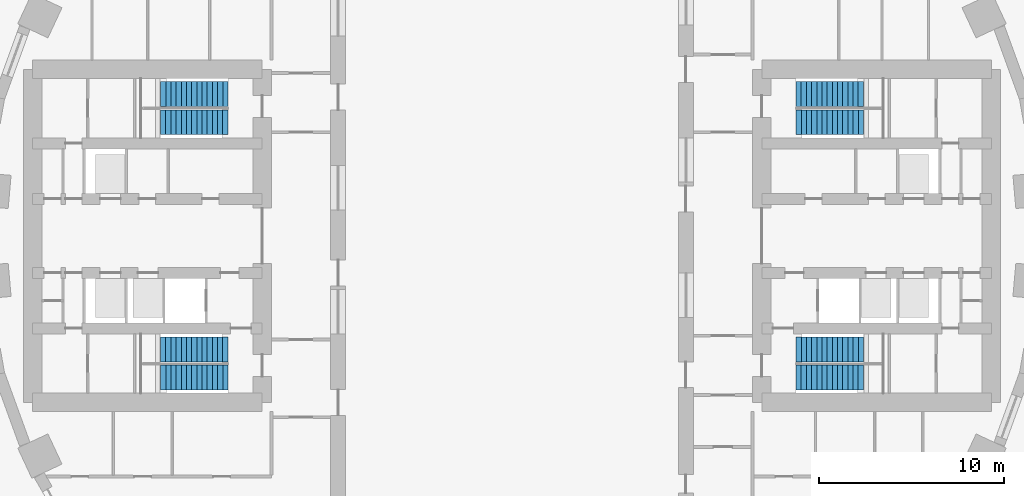
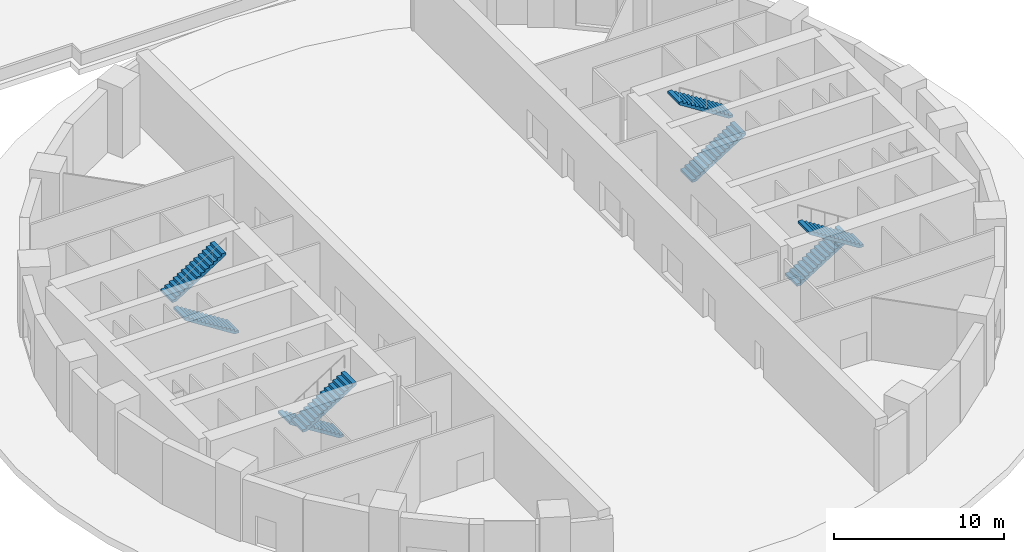
# One storey, part 8 of 10: 8 stair flights, 4 elements without a shape of their own.
"""IFC4 building model written with IfcOpenShell, lengths in metres."""

from ifc_helpers import new_model, si_unit, direction, frame, origin, place, context, subcontext, project, spatial, polyline, outline, extrude, material, type_object, element, aggregate, save


model = new_model("IFC4")

# Units and contexts
model_context = context("Model", 3, precision=1e-05, world=origin(), true_north=direction((0.0, 1.0)))
body_context = subcontext(model_context, "Body", "Model", "MODEL_VIEW")
ifc_project = project(units=[si_unit("LENGTHUNIT", "METRE"), si_unit("AREAUNIT", "SQUARE_METRE"), si_unit("VOLUMEUNIT", "CUBIC_METRE"), si_unit("PLANEANGLEUNIT", "RADIAN"), si_unit("MASSUNIT", "GRAM", prefix="KILO")], contexts=[model_context])

# Site, building, storey
site_placement = place(None, origin())
site = spatial("IfcSite", under=ifc_project, at=site_placement, CompositionType="ELEMENT")
building_placement = place(site_placement, origin())
building = spatial("IfcBuilding", under=site, at=building_placement, Name="Saqina Gate Tower", CompositionType="ELEMENT")
storey_placement = place(building_placement, origin())
storey = spatial("IfcBuildingStorey", under=building, at=storey_placement, Name="L00", CompositionType="ELEMENT", Elevation=0.0)

# Stair, stair flights
ifc_material_1 = material(Name="Concrete C40/50", Category="concrete")
stair_type = type_object("IfcStairType", Name="EXIT STAIR", PredefinedType="HALF_TURN_STAIR", material=ifc_material_1)
stair_1_placement = place(storey_placement, origin())
stair_1 = element("IfcStair", 1, at=stair_1_placement, inside=storey, type_object=stair_type, Name="EXIT STAIR 1", PredefinedType="HALF_TURN_STAIR")
ifc_material_2 = material(Name="Concrete C40/50", Category="concrete")
stair_flight_type = type_object("IfcStairFlightType", Name="EXIT STAIR FLIGHT", PredefinedType="STRAIGHT", material=ifc_material_2)
stair_flight_1_placement = place(storey_placement, frame((15.35009765625, 6.1416015625, 0.0), z_axis=(0.0, 0.0, 1.0), x_axis=(1.0, 0.0, 0.0)))
stair_flight_1 = element("IfcStairFlight", 2, at=stair_flight_1_placement, type_object=stair_flight_type, Name="EXIT STAIR 1 FLIGHT 1", NumberOfRisers=14, NumberOfTreads=13, PredefinedType="STRAIGHT", RiserHeight=0.178571429, TreadLength=0.28, context=body_context, shape_type="SweptSolid", body=[
    extrude(outline(polyline([(0.0, 0.0), (0.0, 0.178466796875), (0.280029296875, 0.178466796875), (0.280029296875, 0.357177734375), (0.56005859375, 0.357177734375), (0.56005859375, 0.53564453125), (0.840087890625, 0.53564453125), (0.840087890625, 0.71435546875), (1.1201171875, 0.71435546875), (1.1201171875, 0.892822265625), (1.39990234375, 0.892822265625), (1.39990234375, 1.071533203125), (1.679931640625, 1.071533203125), (1.679931640625, 1.25), (1.9599609375, 1.25), (1.9599609375, 1.428466796875), (2.239990234375, 1.428466796875), (2.239990234375, 1.607177734375), (2.52001953125, 1.607177734375), (2.52001953125, 1.78564453125), (2.800048828125, 1.78564453125), (2.800048828125, 1.96435546875), (3.080078125, 1.96435546875), (3.080078125, 2.142822265625), (3.360107421875, 2.142822265625), (3.360107421875, 2.321533203125), (3.639892578125, 2.321533203125), (3.639892578125, 2.5), (3.639892578125, 2.1435546875), (0.27880859375, 0.0), (0.0, 0.0)])), frame((0.0, 0.675048828125, 0.0), z_axis=(0.0, -1.0, 0.0), x_axis=(1.0, 0.0, 0.0)), (0.0, 0.0, 1.0), 1.35009765625),
])
stair_flight_2_placement = place(storey_placement, frame((18.989990234375, 7.658447265625, 2.5), z_axis=(0.0, 0.0, 1.0), x_axis=(-1.0, 0.0, 0.0)))
stair_flight_2 = element("IfcStairFlight", 3, at=stair_flight_2_placement, type_object=stair_flight_type, Name="EXIT STAIR 1 FLIGHT 2", NumberOfRisers=14, NumberOfTreads=13, PredefinedType="STRAIGHT", RiserHeight=0.178571429, TreadLength=0.28, context=body_context, shape_type="SweptSolid", body=[
    extrude(outline(polyline([(0.0, 0.0), (0.0, 0.178466796875), (0.280029296875, 0.178466796875), (0.280029296875, 0.357177734375), (0.56005859375, 0.357177734375), (0.56005859375, 0.53564453125), (0.840087890625, 0.53564453125), (0.840087890625, 0.71435546875), (1.1201171875, 0.71435546875), (1.1201171875, 0.892822265625), (1.39990234375, 0.892822265625), (1.39990234375, 1.071533203125), (1.679931640625, 1.071533203125), (1.679931640625, 1.25), (1.9599609375, 1.25), (1.9599609375, 1.428466796875), (2.239990234375, 1.428466796875), (2.239990234375, 1.607177734375), (2.52001953125, 1.607177734375), (2.52001953125, 1.78564453125), (2.800048828125, 1.78564453125), (2.800048828125, 1.96435546875), (3.080078125, 1.96435546875), (3.080078125, 2.142822265625), (3.360107421875, 2.142822265625), (3.360107421875, 2.321533203125), (3.639892578125, 2.321533203125), (3.639892578125, 2.5), (3.639892578125, 2.1435546875), (0.27880859375, 0.0), (0.0, 0.0)])), frame((0.0, 0.675048828125, 0.0), z_axis=(0.0, -1.0, 0.0), x_axis=(1.0, 0.0, 0.0)), (0.0, 0.0, 1.0), 1.35009765625),
])
aggregate(stair_1, [stair_flight_1, stair_flight_2])

stair_2_placement = place(storey_placement, origin())
stair_2 = element("IfcStair", 4, at=stair_2_placement, inside=storey, type_object=stair_type, Name="EXIT STAIR 2", PredefinedType="HALF_TURN_STAIR")
stair_flight_3_placement = place(storey_placement, frame((15.35009765625, -6.1416015625, 0.0), z_axis=(0.0, 0.0, 1.0), x_axis=(1.0, 0.0, 0.0)))
stair_flight_3 = element("IfcStairFlight", 5, at=stair_flight_3_placement, type_object=stair_flight_type, Name="EXIT STAIR 2 FLIGHT 1", NumberOfRisers=14, NumberOfTreads=13, PredefinedType="STRAIGHT", RiserHeight=0.178571429, TreadLength=0.28, context=body_context, shape_type="SweptSolid", body=[
    extrude(outline(polyline([(0.0, 0.0), (0.0, 0.178466796875), (0.280029296875, 0.178466796875), (0.280029296875, 0.357177734375), (0.56005859375, 0.357177734375), (0.56005859375, 0.53564453125), (0.840087890625, 0.53564453125), (0.840087890625, 0.71435546875), (1.1201171875, 0.71435546875), (1.1201171875, 0.892822265625), (1.39990234375, 0.892822265625), (1.39990234375, 1.071533203125), (1.679931640625, 1.071533203125), (1.679931640625, 1.25), (1.9599609375, 1.25), (1.9599609375, 1.428466796875), (2.239990234375, 1.428466796875), (2.239990234375, 1.607177734375), (2.52001953125, 1.607177734375), (2.52001953125, 1.78564453125), (2.800048828125, 1.78564453125), (2.800048828125, 1.96435546875), (3.080078125, 1.96435546875), (3.080078125, 2.142822265625), (3.360107421875, 2.142822265625), (3.360107421875, 2.321533203125), (3.639892578125, 2.321533203125), (3.639892578125, 2.5), (3.639892578125, 2.1435546875), (0.27880859375, 0.0), (0.0, 0.0)])), frame((0.0, 0.675048828125, 0.0), z_axis=(0.0, -1.0, 0.0), x_axis=(1.0, 0.0, 0.0)), (0.0, 0.0, 1.0), 1.35009765625),
])
stair_flight_4_placement = place(storey_placement, frame((18.989990234375, -7.658447265625, 2.5), z_axis=(0.0, 0.0, 1.0), x_axis=(-1.0, 0.0, 0.0)))
stair_flight_4 = element("IfcStairFlight", 6, at=stair_flight_4_placement, type_object=stair_flight_type, Name="EXIT STAIR 2 FLIGHT 2", NumberOfRisers=14, NumberOfTreads=13, PredefinedType="STRAIGHT", RiserHeight=0.178571429, TreadLength=0.28, context=body_context, shape_type="SweptSolid", body=[
    extrude(outline(polyline([(0.0, 0.0), (0.0, 0.178466796875), (0.280029296875, 0.178466796875), (0.280029296875, 0.357177734375), (0.56005859375, 0.357177734375), (0.56005859375, 0.53564453125), (0.840087890625, 0.53564453125), (0.840087890625, 0.71435546875), (1.1201171875, 0.71435546875), (1.1201171875, 0.892822265625), (1.39990234375, 0.892822265625), (1.39990234375, 1.071533203125), (1.679931640625, 1.071533203125), (1.679931640625, 1.25), (1.9599609375, 1.25), (1.9599609375, 1.428466796875), (2.239990234375, 1.428466796875), (2.239990234375, 1.607177734375), (2.52001953125, 1.607177734375), (2.52001953125, 1.78564453125), (2.800048828125, 1.78564453125), (2.800048828125, 1.96435546875), (3.080078125, 1.96435546875), (3.080078125, 2.142822265625), (3.360107421875, 2.142822265625), (3.360107421875, 2.321533203125), (3.639892578125, 2.321533203125), (3.639892578125, 2.5), (3.639892578125, 2.1435546875), (0.27880859375, 0.0), (0.0, 0.0)])), frame((0.0, 0.675048828125, 0.0), z_axis=(0.0, -1.0, 0.0), x_axis=(1.0, 0.0, 0.0)), (0.0, 0.0, 1.0), 1.35009765625),
])
aggregate(stair_2, [stair_flight_3, stair_flight_4])

stair_3_placement = place(storey_placement, origin())
stair_3 = element("IfcStair", 7, at=stair_3_placement, inside=storey, type_object=stair_type, Name="EXIT STAIR 3", PredefinedType="HALF_TURN_STAIR")
stair_flight_5_placement = place(storey_placement, frame((-15.35009765625, 6.1416015625, 0.0), z_axis=(0.0, 0.0, 1.0), x_axis=(-1.0, 0.0, 0.0)))
stair_flight_5 = element("IfcStairFlight", 8, at=stair_flight_5_placement, type_object=stair_flight_type, Name="EXIT STAIR 3 FLIGHT 1", NumberOfRisers=14, NumberOfTreads=13, PredefinedType="STRAIGHT", RiserHeight=0.178571429, TreadLength=0.28, context=body_context, shape_type="SweptSolid", body=[
    extrude(outline(polyline([(0.0, 0.0), (0.0, 0.178466796875), (0.280029296875, 0.178466796875), (0.280029296875, 0.357177734375), (0.56005859375, 0.357177734375), (0.56005859375, 0.53564453125), (0.840087890625, 0.53564453125), (0.840087890625, 0.71435546875), (1.1201171875, 0.71435546875), (1.1201171875, 0.892822265625), (1.39990234375, 0.892822265625), (1.39990234375, 1.071533203125), (1.679931640625, 1.071533203125), (1.679931640625, 1.25), (1.9599609375, 1.25), (1.9599609375, 1.428466796875), (2.239990234375, 1.428466796875), (2.239990234375, 1.607177734375), (2.52001953125, 1.607177734375), (2.52001953125, 1.78564453125), (2.800048828125, 1.78564453125), (2.800048828125, 1.96435546875), (3.080078125, 1.96435546875), (3.080078125, 2.142822265625), (3.360107421875, 2.142822265625), (3.360107421875, 2.321533203125), (3.639892578125, 2.321533203125), (3.639892578125, 2.5), (3.639892578125, 2.1435546875), (0.27880859375, 0.0), (0.0, 0.0)])), frame((0.0, 0.675048828125, 0.0), z_axis=(0.0, -1.0, 0.0), x_axis=(1.0, 0.0, 0.0)), (0.0, 0.0, 1.0), 1.35009765625),
])
stair_flight_6_placement = place(storey_placement, frame((-18.989990234375, 7.658447265625, 2.5), z_axis=(0.0, 0.0, 1.0), x_axis=(1.0, 0.0, 0.0)))
stair_flight_6 = element("IfcStairFlight", 9, at=stair_flight_6_placement, type_object=stair_flight_type, Name="EXIT STAIR 3 FLIGHT 2", NumberOfRisers=14, NumberOfTreads=13, PredefinedType="STRAIGHT", RiserHeight=0.178571429, TreadLength=0.28, context=body_context, shape_type="SweptSolid", body=[
    extrude(outline(polyline([(0.0, 0.0), (0.0, 0.178466796875), (0.280029296875, 0.178466796875), (0.280029296875, 0.357177734375), (0.56005859375, 0.357177734375), (0.56005859375, 0.53564453125), (0.840087890625, 0.53564453125), (0.840087890625, 0.71435546875), (1.1201171875, 0.71435546875), (1.1201171875, 0.892822265625), (1.39990234375, 0.892822265625), (1.39990234375, 1.071533203125), (1.679931640625, 1.071533203125), (1.679931640625, 1.25), (1.9599609375, 1.25), (1.9599609375, 1.428466796875), (2.239990234375, 1.428466796875), (2.239990234375, 1.607177734375), (2.52001953125, 1.607177734375), (2.52001953125, 1.78564453125), (2.800048828125, 1.78564453125), (2.800048828125, 1.96435546875), (3.080078125, 1.96435546875), (3.080078125, 2.142822265625), (3.360107421875, 2.142822265625), (3.360107421875, 2.321533203125), (3.639892578125, 2.321533203125), (3.639892578125, 2.5), (3.639892578125, 2.1435546875), (0.27880859375, 0.0), (0.0, 0.0)])), frame((0.0, 0.675048828125, 0.0), z_axis=(0.0, -1.0, 0.0), x_axis=(1.0, 0.0, 0.0)), (0.0, 0.0, 1.0), 1.35009765625),
])
aggregate(stair_3, [stair_flight_5, stair_flight_6])

stair_4_placement = place(storey_placement, origin())
stair_4 = element("IfcStair", 10, at=stair_4_placement, inside=storey, type_object=stair_type, Name="EXIT STAIR 4", PredefinedType="HALF_TURN_STAIR")
stair_flight_7_placement = place(storey_placement, frame((-15.35009765625, -6.1416015625, 0.0), z_axis=(0.0, 0.0, 1.0), x_axis=(-1.0, 0.0, 0.0)))
stair_flight_7 = element("IfcStairFlight", 11, at=stair_flight_7_placement, type_object=stair_flight_type, Name="EXIT STAIR 4 FLIGHT 1", NumberOfRisers=14, NumberOfTreads=13, PredefinedType="STRAIGHT", RiserHeight=0.178571429, TreadLength=0.28, context=body_context, shape_type="SweptSolid", body=[
    extrude(outline(polyline([(0.0, 0.0), (0.0, 0.178466796875), (0.280029296875, 0.178466796875), (0.280029296875, 0.357177734375), (0.56005859375, 0.357177734375), (0.56005859375, 0.53564453125), (0.840087890625, 0.53564453125), (0.840087890625, 0.71435546875), (1.1201171875, 0.71435546875), (1.1201171875, 0.892822265625), (1.39990234375, 0.892822265625), (1.39990234375, 1.071533203125), (1.679931640625, 1.071533203125), (1.679931640625, 1.25), (1.9599609375, 1.25), (1.9599609375, 1.428466796875), (2.239990234375, 1.428466796875), (2.239990234375, 1.607177734375), (2.52001953125, 1.607177734375), (2.52001953125, 1.78564453125), (2.800048828125, 1.78564453125), (2.800048828125, 1.96435546875), (3.080078125, 1.96435546875), (3.080078125, 2.142822265625), (3.360107421875, 2.142822265625), (3.360107421875, 2.321533203125), (3.639892578125, 2.321533203125), (3.639892578125, 2.5), (3.639892578125, 2.1435546875), (0.27880859375, 0.0), (0.0, 0.0)])), frame((0.0, 0.675048828125, 0.0), z_axis=(0.0, -1.0, 0.0), x_axis=(1.0, 0.0, 0.0)), (0.0, 0.0, 1.0), 1.35009765625),
])
stair_flight_8_placement = place(storey_placement, frame((-18.989990234375, -7.658447265625, 2.5), z_axis=(0.0, 0.0, 1.0), x_axis=(1.0, 0.0, 0.0)))
stair_flight_8 = element("IfcStairFlight", 12, at=stair_flight_8_placement, type_object=stair_flight_type, Name="EXIT STAIR 4 FLIGHT 2", NumberOfRisers=14, NumberOfTreads=13, PredefinedType="STRAIGHT", RiserHeight=0.178571429, TreadLength=0.28, context=body_context, shape_type="SweptSolid", body=[
    extrude(outline(polyline([(0.0, 0.0), (0.0, 0.178466796875), (0.280029296875, 0.178466796875), (0.280029296875, 0.357177734375), (0.56005859375, 0.357177734375), (0.56005859375, 0.53564453125), (0.840087890625, 0.53564453125), (0.840087890625, 0.71435546875), (1.1201171875, 0.71435546875), (1.1201171875, 0.892822265625), (1.39990234375, 0.892822265625), (1.39990234375, 1.071533203125), (1.679931640625, 1.071533203125), (1.679931640625, 1.25), (1.9599609375, 1.25), (1.9599609375, 1.428466796875), (2.239990234375, 1.428466796875), (2.239990234375, 1.607177734375), (2.52001953125, 1.607177734375), (2.52001953125, 1.78564453125), (2.800048828125, 1.78564453125), (2.800048828125, 1.96435546875), (3.080078125, 1.96435546875), (3.080078125, 2.142822265625), (3.360107421875, 2.142822265625), (3.360107421875, 2.321533203125), (3.639892578125, 2.321533203125), (3.639892578125, 2.5), (3.639892578125, 2.1435546875), (0.27880859375, 0.0), (0.0, 0.0)])), frame((0.0, 0.675048828125, 0.0), z_axis=(0.0, -1.0, 0.0), x_axis=(1.0, 0.0, 0.0)), (0.0, 0.0, 1.0), 1.35009765625),
])
aggregate(stair_4, [stair_flight_7, stair_flight_8])

save(model, "model.ifc")
